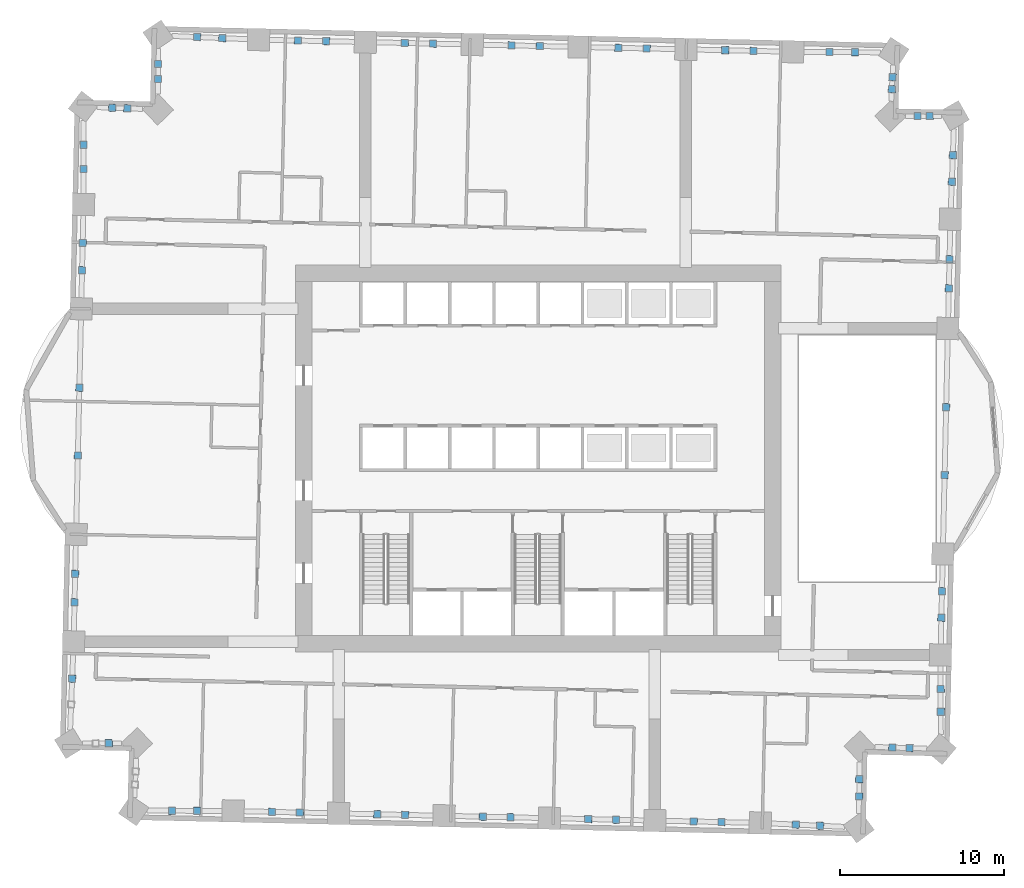
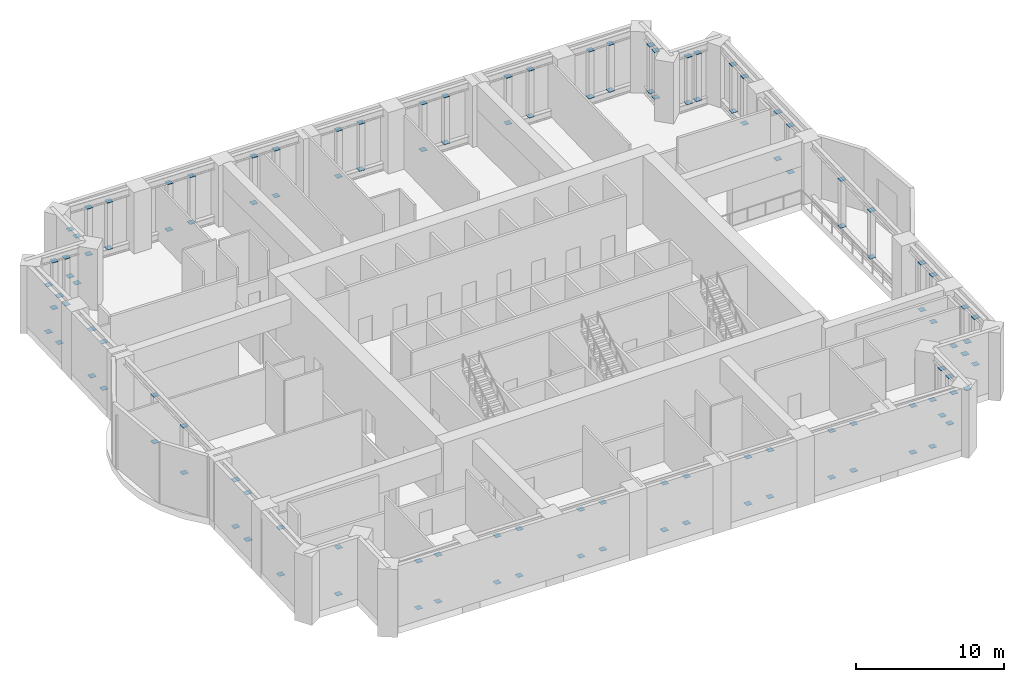
# One storey, part 10 of 13: 120 discrete accessories.
"""IFC4 building model written with IfcOpenShell, lengths in metres."""

from ifc_helpers import new_model, si_unit, direction, frame, origin, origin_2d, place, context, subcontext, project, spatial, rectangle, extrude, material, layer, layer_set, type_object, element, save


model = new_model("IFC4")

# Units and contexts
model_context = context("Model", 3, precision=1e-05, world=origin(), true_north=direction((0.0, 1.0)))
body_context = subcontext(model_context, "Body", "Model", "MODEL_VIEW")
ifc_project = project(units=[si_unit("LENGTHUNIT", "METRE"), si_unit("AREAUNIT", "SQUARE_METRE"), si_unit("VOLUMEUNIT", "CUBIC_METRE"), si_unit("PLANEANGLEUNIT", "RADIAN"), si_unit("MASSUNIT", "GRAM", prefix="KILO")], contexts=[model_context])

# Site, building, storey
site_placement = place(None, origin())
site = spatial("IfcSite", under=ifc_project, at=site_placement, CompositionType="ELEMENT")
building_placement = place(site_placement, origin())
building = spatial("IfcBuilding", under=site, at=building_placement, Name="Mangrove Gate Tower", CompositionType="ELEMENT")
storey_placement = place(building_placement, frame((0.0, 0.0, 119.89990234375)))
storey = spatial("IfcBuildingStorey", under=building, at=storey_placement, Name="L30", CompositionType="ELEMENT", Elevation=119.89990234375)

# Discrete accessories
ifc_material = material(Name="Steel S355J2H", Category="steel")
ifc_layer = layer(ifc_material, 0.02001953125)
ifc_layer_set = layer_set([ifc_layer], Name="Belt truss end plate 440x440x20")
discrete_accessory_type = type_object("IfcDiscreteAccessoryType", Name="Belt truss end plate 440x440x20", PredefinedType="ANCHORPLATE", material=ifc_layer_set)
for number, where, z_axis, x_axis, name in (
    (1, (-28.23291015625, -7.035888671875, 0.590087890625), (0.0, 0.0, 1.0), (-0.022707539279, -0.999742150587, 0.0), "Belt truss end plate L30 00-1 bottom"),
    (2, (-28.23291015625, -7.035888671875, 4.440185546875), (0.0, 0.0, 1.0), (-0.022707539279, -0.999742150587, 0.0), "Belt truss end plate L30 00-1 top"),
    (3, (-28.2724609375, -8.772705078125, 0.590087890625), (0.0, 0.0, 1.0), (-0.022707539279, -0.999742150587, 0.0), "Belt truss end plate L30 00-2 bottom"),
    (4, (-28.2724609375, -8.772705078125, 4.440185546875), (0.0, 0.0, 1.0), (-0.022707539279, -0.999742150587, 0.0), "Belt truss end plate L30 00-2 top"),
    (5, (-28.416748046875, -13.428955078125, 0.590087890625), (0.0, 0.0, 1.0), (-0.039870272437, -0.999204864568, 0.0), "Belt truss end plate L30 01-1 bottom"),
    (6, (-28.416748046875, -13.428955078125, 4.440185546875), (0.0, 0.0, 1.0), (-0.039870272437, -0.999204864568, 0.0), "Belt truss end plate L30 01-1 top"),
    (7, (-26.191162109375, -17.3671875, 0.590087890625), (0.0, 0.0, 1.0), (0.99998755328, 0.004989317126, 0.0), "Belt truss end plate L30 02-2 bottom"),
    (8, (-26.191162109375, -17.3671875, 4.440185546875), (0.0, 0.0, 1.0), (0.99998755328, 0.004989317126, 0.0), "Belt truss end plate L30 02-2 top"),
    (9, (-22.32568359375, -21.47802734375, 0.590087890625), (0.0, 0.0, 1.0), (0.999989506276, -0.004581194009, 0.0), "Belt truss end plate L30 04-1 bottom"),
    (10, (-22.32568359375, -21.47802734375, 4.440185546875), (0.0, 0.0, 1.0), (0.999989506276, -0.004581194009, 0.0), "Belt truss end plate L30 04-1 top"),
    (11, (-20.80224609375, -21.485107421875, 0.590087890625), (0.0, 0.0, 1.0), (0.999989506276, -0.004581194009, 0.0), "Belt truss end plate L30 04-2 bottom"),
    (12, (-20.80224609375, -21.485107421875, 4.440185546875), (0.0, 0.0, 1.0), (0.999989506276, -0.004581194009, 0.0), "Belt truss end plate L30 04-2 top"),
    (13, (-16.236083984375, -21.548828125, 0.590087890625), (0.0, 0.0, 1.0), (0.999742156532, -0.022707277547, 0.0), "Belt truss end plate L30 05-1 bottom"),
    (14, (-16.236083984375, -21.548828125, 4.440185546875), (0.0, 0.0, 1.0), (0.999742156532, -0.022707277547, 0.0), "Belt truss end plate L30 05-1 top"),
    (15, (-14.543212890625, -21.58740234375, 0.590087890625), (0.0, 0.0, 1.0), (0.999742156532, -0.022707277547, 0.0), "Belt truss end plate L30 05-2 bottom"),
    (16, (-14.543212890625, -21.58740234375, 4.440185546875), (0.0, 0.0, 1.0), (0.999742156532, -0.022707277547, 0.0), "Belt truss end plate L30 05-2 top"),
    (17, (-9.80810546875, -21.695068359375, 0.590087890625), (0.0, 0.0, 1.0), (0.999742156532, -0.022707277547, 0.0), "Belt truss end plate L30 06-1 bottom"),
    (18, (-9.80810546875, -21.695068359375, 4.440185546875), (0.0, 0.0, 1.0), (0.999742156532, -0.022707277547, 0.0), "Belt truss end plate L30 06-1 top"),
    (19, (-8.115234375, -21.7333984375, 0.590087890625), (0.0, 0.0, 1.0), (0.999742156532, -0.022707277547, 0.0), "Belt truss end plate L30 06-2 bottom"),
    (20, (-8.115234375, -21.7333984375, 4.440185546875), (0.0, 0.0, 1.0), (0.999742156532, -0.022707277547, 0.0), "Belt truss end plate L30 06-2 top"),
    (21, (-3.380126953125, -21.841064453125, 0.590087890625), (0.0, 0.0, 1.0), (0.999742156532, -0.022707277547, 0.0), "Belt truss end plate L30 07-1 bottom"),
    (22, (-3.380126953125, -21.841064453125, 4.440185546875), (0.0, 0.0, 1.0), (0.999742156532, -0.022707277547, 0.0), "Belt truss end plate L30 07-1 top"),
    (23, (-1.687255859375, -21.87939453125, 0.590087890625), (0.0, 0.0, 1.0), (0.999742156532, -0.022707277547, 0.0), "Belt truss end plate L30 07-2 bottom"),
    (24, (-1.687255859375, -21.87939453125, 4.440185546875), (0.0, 0.0, 1.0), (0.999742156532, -0.022707277547, 0.0), "Belt truss end plate L30 07-2 top"),
    (25, (3.0478515625, -21.987060546875, 0.590087890625), (0.0, 0.0, 1.0), (0.999742156135, -0.022707294996, 0.0), "Belt truss end plate L30 08-1 bottom"),
    (26, (3.0478515625, -21.987060546875, 4.440185546875), (0.0, 0.0, 1.0), (0.999742156135, -0.022707294996, 0.0), "Belt truss end plate L30 08-1 top"),
    (27, (4.74072265625, -22.025390625, 0.590087890625), (0.0, 0.0, 1.0), (0.999742156135, -0.022707294996, 0.0), "Belt truss end plate L30 08-2 bottom"),
    (28, (4.74072265625, -22.025390625, 4.440185546875), (0.0, 0.0, 1.0), (0.999742156135, -0.022707294996, 0.0), "Belt truss end plate L30 08-2 top"),
    (29, (9.475830078125, -22.132568359375, 0.590087890625), (0.0, 0.0, 1.0), (0.999745675232, -0.022551825982, 0.0), "Belt truss end plate L30 09-1 bottom"),
    (30, (9.475830078125, -22.132568359375, 4.440185546875), (0.0, 0.0, 1.0), (0.999745675232, -0.022551825982, 0.0), "Belt truss end plate L30 09-1 top"),
    (31, (11.168701171875, -22.170654296875, 0.590087890625), (0.0, 0.0, 1.0), (0.999745675232, -0.022551825982, 0.0), "Belt truss end plate L30 09-2 bottom"),
    (32, (11.168701171875, -22.170654296875, 4.440185546875), (0.0, 0.0, 1.0), (0.999745675232, -0.022551825982, 0.0), "Belt truss end plate L30 09-2 top"),
    (33, (15.699462890625, -22.324462890625, 0.590087890625), (0.0, 0.0, 1.0), (0.998926991833, -0.046312687105, 0.0), "Belt truss end plate L30 10-1 bottom"),
    (34, (15.699462890625, -22.324462890625, 4.440185546875), (0.0, 0.0, 1.0), (0.998926991833, -0.046312687105, 0.0), "Belt truss end plate L30 10-1 top"),
    (35, (17.18798828125, -22.3935546875, 0.590087890625), (0.0, 0.0, 1.0), (0.998926991833, -0.046312687105, 0.0), "Belt truss end plate L30 10-2 bottom"),
    (36, (17.18798828125, -22.3935546875, 4.440185546875), (0.0, 0.0, 1.0), (0.998926991833, -0.046312687105, 0.0), "Belt truss end plate L30 10-2 top"),
    (37, (19.56591796875, -20.604736328125, 0.590087890625), (0.0, 0.0, 1.0), (0.010065527796, 0.999949341292, 0.0), "Belt truss end plate L30 11-1 bottom"),
    (38, (19.56591796875, -20.604736328125, 4.440185546875), (0.0, 0.0, 1.0), (0.010065527796, 0.999949341292, 0.0), "Belt truss end plate L30 11-1 top"),
    (39, (19.57666015625, -19.55322265625, 0.590087890625), (0.0, 0.0, 1.0), (0.010065527796, 0.999949341292, 0.0), "Belt truss end plate L30 11-2 bottom"),
    (40, (19.57666015625, -19.55322265625, 4.440185546875), (0.0, 0.0, 1.0), (0.010065527796, 0.999949341292, 0.0), "Belt truss end plate L30 11-2 top"),
    (41, (21.589111328125, -17.625, 0.590087890625), (0.0, 0.0, 1.0), (0.999451689975, -0.033110714372, 0.0), "Belt truss end plate L30 12-1 bottom"),
    (42, (21.589111328125, -17.625, 4.440185546875), (0.0, 0.0, 1.0), (0.999451689975, -0.033110714372, 0.0), "Belt truss end plate L30 12-1 top"),
    (43, (22.636962890625, -17.65966796875, 0.590087890625), (0.0, 0.0, 1.0), (0.999451689975, -0.033110714372, 0.0), "Belt truss end plate L30 12-2 bottom"),
    (44, (22.636962890625, -17.65966796875, 4.440185546875), (0.0, 0.0, 1.0), (0.999451689975, -0.033110714372, 0.0), "Belt truss end plate L30 12-2 top"),
    (45, (24.53857421875, -15.442626953125, 0.590087890625), (0.0, 0.0, 1.0), (-0.003554233365, 0.999993683693, 0.0), "Belt truss end plate L30 13-1 bottom"),
    (46, (24.53857421875, -15.442626953125, 4.440185546875), (0.0, 0.0, 1.0), (-0.003554233365, 0.999993683693, 0.0), "Belt truss end plate L30 13-1 top"),
    (47, (24.533447265625, -14.05078125, 0.590087890625), (0.0, 0.0, 1.0), (-0.003554233365, 0.999993683693, 0.0), "Belt truss end plate L30 13-2 bottom"),
    (48, (24.533447265625, -14.05078125, 4.440185546875), (0.0, 0.0, 1.0), (-0.003554233365, 0.999993683693, 0.0), "Belt truss end plate L30 13-2 top"),
    (49, (24.577880859375, -9.705078125, 0.590087890625), (0.0, 0.0, 1.0), (0.02271776427, 0.99974191829, 0.0), "Belt truss end plate L30 14-1 bottom"),
    (50, (24.577880859375, -9.705078125, 4.440185546875), (0.0, 0.0, 1.0), (0.02271776427, 0.99974191829, 0.0), "Belt truss end plate L30 14-1 top"),
    (51, (24.614501953125, -8.101318359375, 0.590087890625), (0.0, 0.0, 1.0), (0.02271776427, 0.99974191829, 0.0), "Belt truss end plate L30 14-2 bottom"),
    (52, (24.614501953125, -8.101318359375, 4.440185546875), (0.0, 0.0, 1.0), (0.02271776427, 0.99974191829, 0.0), "Belt truss end plate L30 14-2 top"),
    (53, (24.775390625, -1.015380859375, 0.590087890625), (0.0, 0.0, 1.0), (0.022690038137, 0.999742547944, 0.0), "Belt truss end plate L30 15-1 bottom"),
    (54, (24.775390625, -1.015380859375, 4.440185546875), (0.0, 0.0, 1.0), (0.022690038137, 0.999742547944, 0.0), "Belt truss end plate L30 15-1 top"),
    (55, (24.869140625, 3.116943359375, 0.590087890625), (0.0, 0.0, 1.0), (0.022690038137, 0.999742547944, 0.0), "Belt truss end plate L30 15-2 bottom"),
    (56, (24.869140625, 3.116943359375, 4.440185546875), (0.0, 0.0, 1.0), (0.022690038137, 0.999742547944, 0.0), "Belt truss end plate L30 15-2 top"),
    (57, (25.03369140625, 10.369140625, 0.590087890625), (0.0, 0.0, 1.0), (0.022666743984, 0.999743076354, 0.0), "Belt truss end plate L30 16-1 bottom"),
    (58, (25.03369140625, 10.369140625, 4.440185546875), (0.0, 0.0, 1.0), (0.022666743984, 0.999743076354, 0.0), "Belt truss end plate L30 16-1 top"),
    (59, (25.07373046875, 12.139404296875, 0.590087890625), (0.0, 0.0, 1.0), (0.022666743984, 0.999743076354, 0.0), "Belt truss end plate L30 16-2 bottom"),
    (60, (25.07373046875, 12.139404296875, 4.440185546875), (0.0, 0.0, 1.0), (0.022666743984, 0.999743076354, 0.0), "Belt truss end plate L30 16-2 top"),
    (61, (25.216064453125, 16.873046875, 0.590087890625), (0.0, 0.0, 1.0), (0.037900135288, 0.999281531774, 0.0), "Belt truss end plate L30 17-1 bottom"),
    (62, (25.216064453125, 16.873046875, 4.440185546875), (0.0, 0.0, 1.0), (0.037900135288, 0.999281531774, 0.0), "Belt truss end plate L30 17-1 top"),
    (63, (25.277099609375, 18.4873046875, 0.590087890625), (0.0, 0.0, 1.0), (0.037900135288, 0.999281531774, 0.0), "Belt truss end plate L30 17-2 bottom"),
    (64, (25.277099609375, 18.4873046875, 4.440185546875), (0.0, 0.0, 1.0), (0.037900135288, 0.999281531774, 0.0), "Belt truss end plate L30 17-2 top"),
    (65, (23.861572265625, 20.8798828125, 0.590087890625), (0.0, 0.0, 1.0), (-0.999944505201, -0.010535013907, 0.0), "Belt truss end plate L30 18-1 bottom"),
    (66, (23.861572265625, 20.8798828125, 4.440185546875), (0.0, 0.0, 1.0), (-0.999944505201, -0.010535013907, 0.0), "Belt truss end plate L30 18-1 top"),
    (67, (23.126953125, 20.8720703125, 0.590087890625), (0.0, 0.0, 1.0), (-0.999944505201, -0.010535013907, 0.0), "Belt truss end plate L30 18-2 bottom"),
    (68, (23.126953125, 20.8720703125, 4.440185546875), (0.0, 0.0, 1.0), (-0.999944505201, -0.010535013907, 0.0), "Belt truss end plate L30 18-2 top"),
    (69, (21.55859375, 22.511474609375, 0.590087890625), (0.0, 0.0, 1.0), (0.054550018521, 0.998511039238, 0.0), "Belt truss end plate L30 19-1 bottom"),
    (70, (21.55859375, 22.511474609375, 4.440185546875), (0.0, 0.0, 1.0), (0.054550018521, 0.998511039238, 0.0), "Belt truss end plate L30 19-1 top"),
    (71, (21.5986328125, 23.244140625, 0.590087890625), (0.0, 0.0, 1.0), (0.054550018521, 0.998511039238, 0.0), "Belt truss end plate L30 19-2 bottom"),
    (72, (21.5986328125, 23.244140625, 4.440185546875), (0.0, 0.0, 1.0), (0.054550018521, 0.998511039238, 0.0), "Belt truss end plate L30 19-2 top"),
    (73, (19.318115234375, 24.76806640625, 0.590087890625), (0.0, 0.0, 1.0), (-0.999979682826, 0.006374475216, 0.0), "Belt truss end plate L30 20-1 bottom"),
    (74, (19.318115234375, 24.76806640625, 4.440185546875), (0.0, 0.0, 1.0), (-0.999979682826, 0.006374475216, 0.0), "Belt truss end plate L30 20-1 top"),
    (75, (17.75537109375, 24.77783203125, 0.590087890625), (0.0, 0.0, 1.0), (-0.999979682826, 0.006374475216, 0.0), "Belt truss end plate L30 20-2 bottom"),
    (76, (17.75537109375, 24.77783203125, 4.440185546875), (0.0, 0.0, 1.0), (-0.999979682826, 0.006374475216, 0.0), "Belt truss end plate L30 20-2 top"),
    (77, (13.121826171875, 24.8466796875, 0.590087890625), (0.0, 0.0, 1.0), (-0.999741915515, 0.022717886411, 0.0), "Belt truss end plate L30 21-1 bottom"),
    (78, (13.121826171875, 24.8466796875, 4.440185546875), (0.0, 0.0, 1.0), (-0.999741915515, 0.022717886411, 0.0), "Belt truss end plate L30 21-1 top"),
    (79, (11.400634765625, 24.8857421875, 0.590087890625), (0.0, 0.0, 1.0), (-0.999741915515, 0.022717886411, 0.0), "Belt truss end plate L30 21-2 bottom"),
    (80, (11.400634765625, 24.8857421875, 4.440185546875), (0.0, 0.0, 1.0), (-0.999741915515, 0.022717886411, 0.0), "Belt truss end plate L30 21-2 top"),
    (81, (6.6083984375, 24.99462890625, 0.590087890625), (0.0, 0.0, 1.0), (-0.999741994016, 0.022714431551, 0.0), "Belt truss end plate L30 22-1 bottom"),
    (82, (6.6083984375, 24.99462890625, 4.440185546875), (0.0, 0.0, 1.0), (-0.999741994016, 0.022714431551, 0.0), "Belt truss end plate L30 22-1 top"),
    (83, (4.886962890625, 25.03369140625, 0.590087890625), (0.0, 0.0, 1.0), (-0.999741994016, 0.022714431551, 0.0), "Belt truss end plate L30 22-2 bottom"),
    (84, (4.886962890625, 25.03369140625, 4.440185546875), (0.0, 0.0, 1.0), (-0.999741994016, 0.022714431551, 0.0), "Belt truss end plate L30 22-2 top"),
    (85, (0.094482421875, 25.142578125, 0.590087890625), (0.0, 0.0, 1.0), (-0.999741994016, 0.022714431551, 0.0), "Belt truss end plate L30 23-1 bottom"),
    (86, (0.094482421875, 25.142578125, 4.440185546875), (0.0, 0.0, 1.0), (-0.999741994016, 0.022714431551, 0.0), "Belt truss end plate L30 23-1 top"),
    (87, (-1.626953125, 25.181640625, 0.590087890625), (0.0, 0.0, 1.0), (-0.999741994016, 0.022714431551, 0.0), "Belt truss end plate L30 23-2 bottom"),
    (88, (-1.626953125, 25.181640625, 4.440185546875), (0.0, 0.0, 1.0), (-0.999741994016, 0.022714431551, 0.0), "Belt truss end plate L30 23-2 top"),
    (89, (-6.419677734375, 25.29052734375, 0.590087890625), (0.0, 0.0, 1.0), (-0.999741994016, 0.022714431551, 0.0), "Belt truss end plate L30 24-1 bottom"),
    (90, (-6.419677734375, 25.29052734375, 4.440185546875), (0.0, 0.0, 1.0), (-0.999741994016, 0.022714431551, 0.0), "Belt truss end plate L30 24-1 top"),
    (91, (-8.14111328125, 25.329833984375, 0.590087890625), (0.0, 0.0, 1.0), (-0.999741994016, 0.022714431551, 0.0), "Belt truss end plate L30 24-2 bottom"),
    (92, (-8.14111328125, 25.329833984375, 4.440185546875), (0.0, 0.0, 1.0), (-0.999741994016, 0.022714431551, 0.0), "Belt truss end plate L30 24-2 top"),
    (93, (-12.933349609375, 25.438720703125, 0.590087890625), (0.0, 0.0, 1.0), (-0.999741914325, 0.022717938758, 0.0), "Belt truss end plate L30 25-1 bottom"),
    (94, (-12.933349609375, 25.438720703125, 4.440185546875), (0.0, 0.0, 1.0), (-0.999741914325, 0.022717938758, 0.0), "Belt truss end plate L30 25-1 top"),
    (95, (-14.654296875, 25.477783203125, 0.590087890625), (0.0, 0.0, 1.0), (-0.999741914325, 0.022717938758, 0.0), "Belt truss end plate L30 25-2 bottom"),
    (96, (-14.654296875, 25.477783203125, 4.440185546875), (0.0, 0.0, 1.0), (-0.999741914325, 0.022717938758, 0.0), "Belt truss end plate L30 25-2 top"),
    (97, (-19.261474609375, 25.626708984375, 0.590087890625), (0.0, 0.0, 1.0), (-0.999087628164, 0.042707273975, 0.0), "Belt truss end plate L30 26-1 bottom"),
    (98, (-19.261474609375, 25.626708984375, 4.440185546875), (0.0, 0.0, 1.0), (-0.999087628164, 0.042707273975, 0.0), "Belt truss end plate L30 26-1 top"),
    (99, (-20.798095703125, 25.6923828125, 0.590087890625), (0.0, 0.0, 1.0), (-0.999087628164, 0.042707273975, 0.0), "Belt truss end plate L30 26-2 bottom"),
    (100, (-20.798095703125, 25.6923828125, 4.440185546875), (0.0, 0.0, 1.0), (-0.999087628164, 0.042707273975, 0.0), "Belt truss end plate L30 26-2 top"),
    (101, (-23.17822265625, 24.053955078125, 0.590087890625), (0.0, 0.0, 1.0), (-0.003388271007, -0.999994259793, 0.0), "Belt truss end plate L30 27-1 bottom"),
    (102, (-23.17822265625, 24.053955078125, 4.440185546875), (0.0, 0.0, 1.0), (-0.003388271007, -0.999994259793, 0.0), "Belt truss end plate L30 27-1 top"),
    (103, (-23.181396484375, 23.12939453125, 0.590087890625), (0.0, 0.0, 1.0), (-0.003388271007, -0.999994259793, 0.0), "Belt truss end plate L30 27-2 bottom"),
    (104, (-23.181396484375, 23.12939453125, 4.440185546875), (0.0, 0.0, 1.0), (-0.003388271007, -0.999994259793, 0.0), "Belt truss end plate L30 27-2 top"),
    (105, (-25.04736328125, 21.34375, 0.590087890625), (0.0, 0.0, 1.0), (-0.999172485784, 0.040673623546, 0.0), "Belt truss end plate L30 28-1 bottom"),
    (106, (-25.04736328125, 21.34375, 4.440185546875), (0.0, 0.0, 1.0), (-0.999172485784, 0.040673623546, 0.0), "Belt truss end plate L30 28-1 top"),
    (107, (-25.969970703125, 21.38134765625, 0.590087890625), (0.0, 0.0, 1.0), (-0.999172485784, 0.040673623546, 0.0), "Belt truss end plate L30 28-2 bottom"),
    (108, (-25.969970703125, 21.38134765625, 4.440185546875), (0.0, 0.0, 1.0), (-0.999172485784, 0.040673623546, 0.0), "Belt truss end plate L30 28-2 top"),
    (109, (-27.71728515625, 19.123779296875, 0.590087890625), (0.0, 0.0, 1.0), (-0.001355928427, -0.999999080729, 0.0), "Belt truss end plate L30 29-1 bottom"),
    (110, (-27.71728515625, 19.123779296875, 4.440185546875), (0.0, 0.0, 1.0), (-0.001355928427, -0.999999080729, 0.0), "Belt truss end plate L30 29-1 top"),
    (111, (-27.71923828125, 17.641357421875, 0.590087890625), (0.0, 0.0, 1.0), (-0.001355928427, -0.999999080729, 0.0), "Belt truss end plate L30 29-2 bottom"),
    (112, (-27.71923828125, 17.641357421875, 4.440185546875), (0.0, 0.0, 1.0), (-0.001355928427, -0.999999080729, 0.0), "Belt truss end plate L30 29-2 top"),
    (113, (-27.775146484375, 13.138427734375, 0.590087890625), (0.0, 0.0, 1.0), (-0.022632090637, -0.999743861433, 0.0), "Belt truss end plate L30 30-1 bottom"),
    (114, (-27.775146484375, 13.138427734375, 4.440185546875), (0.0, 0.0, 1.0), (-0.022632090637, -0.999743861433, 0.0), "Belt truss end plate L30 30-1 top"),
    (115, (-27.81298828125, 11.468017578125, 0.590087890625), (0.0, 0.0, 1.0), (-0.022632090637, -0.999743861433, 0.0), "Belt truss end plate L30 30-2 bottom"),
    (116, (-27.81298828125, 11.468017578125, 4.440185546875), (0.0, 0.0, 1.0), (-0.022632090637, -0.999743861433, 0.0), "Belt truss end plate L30 30-2 top"),
    (117, (-27.975341796875, 4.3154296875, 0.590087890625), (0.0, 0.0, 1.0), (-0.022690055586, -0.999742547548, 0.0), "Belt truss end plate L30 31-1 bottom"),
    (118, (-27.975341796875, 4.3154296875, 4.440185546875), (0.0, 0.0, 1.0), (-0.022690055586, -0.999742547548, 0.0), "Belt truss end plate L30 31-1 top"),
    (119, (-28.069091796875, 0.182861328125, 0.590087890625), (0.0, 0.0, 1.0), (-0.022690055586, -0.999742547548, 0.0), "Belt truss end plate L30 31-2 bottom"),
    (120, (-28.069091796875, 0.182861328125, 4.440185546875), (0.0, 0.0, 1.0), (-0.022690055586, -0.999742547548, 0.0), "Belt truss end plate L30 31-2 top"),
):
    element("IfcDiscreteAccessory", number, at=place(storey_placement, frame(where, z_axis=z_axis, x_axis=x_axis)), inside=storey, type_object=discrete_accessory_type, Name=name, PredefinedType="ANCHORPLATE", context=body_context, shape_type="SweptSolid", body=[
        extrude(rectangle(XDim=0.43994140625, YDim=0.43994140625, at=origin_2d()), origin(), (0.0, 0.0, 1.0), 0.02001953125),
    ])

save(model, "model.ifc")
